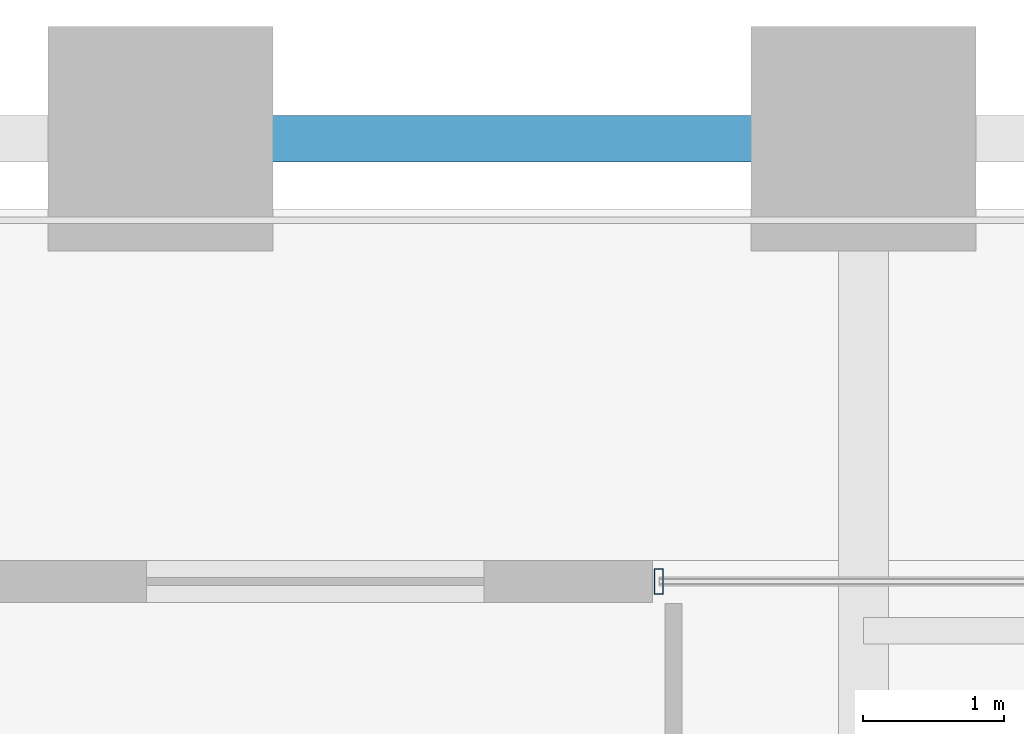
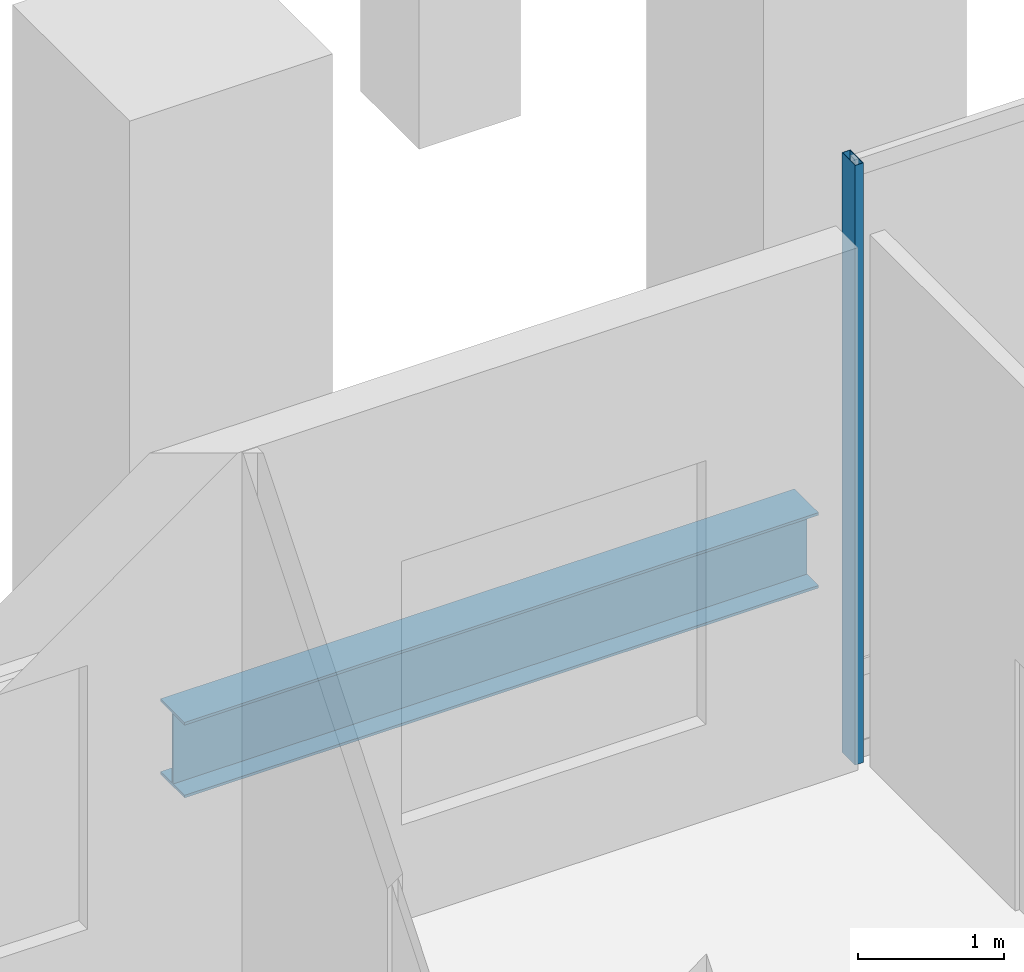
# One storey, part 8 of 25: 1 beam, 1 member, 1 element without a shape of its own.
"""IFC4 building model written with IfcOpenShell, lengths in metres."""

from ifc_helpers import new_model, si_unit, direction, frame, origin, origin_2d, place, context, subcontext, project, spatial, hollow_rectangle, i_section, extrude, material, layer, layer_set, material_profile, profile_set, type_object, element, aggregate, save


model = new_model("IFC4")

# Units and contexts
model_context = context("Model", 3, precision=1e-05, world=origin(), true_north=direction((0.0, 1.0)))
body_context = subcontext(model_context, "Body", "Model", "MODEL_VIEW")
ifc_project = project(units=[si_unit("LENGTHUNIT", "METRE"), si_unit("AREAUNIT", "SQUARE_METRE"), si_unit("VOLUMEUNIT", "CUBIC_METRE"), si_unit("PLANEANGLEUNIT", "RADIAN"), si_unit("MASSUNIT", "GRAM", prefix="KILO")], contexts=[model_context])

# Site, building, storey
site_placement = place(None, origin())
site = spatial("IfcSite", under=ifc_project, at=site_placement, CompositionType="ELEMENT")
building_placement = place(site_placement, origin())
building = spatial("IfcBuilding", under=site, at=building_placement, Name="Barlavira Tower and Art Museum", CompositionType="ELEMENT")
storey_placement = place(building_placement, frame((0.0, 0.0, 22.199951171875)))
storey = spatial("IfcBuildingStorey", under=building, at=storey_placement, Name="L04", CompositionType="ELEMENT", Elevation=22.199951171875)

# Curtain wall, member
ifc_material_1 = material(Name="Low-iron coastal laminated glass", Category="glass")
ifc_layer = layer(ifc_material_1, 0.179931640625, Name="Low-iron coastal laminated glass")
ifc_layer_set = layer_set([ifc_layer], Name="Low-iron coastal laminated glass")
curtain_wall_type = type_object("IfcCurtainWallType", Name="Pale-Metal Unitised Curtain Wall Zone 1", PredefinedType="NOTDEFINED", material=ifc_layer_set)
curtain_wall_placement = place(storey_placement, origin())
curtain_wall = element("IfcCurtainWall", 1, at=curtain_wall_placement, inside=storey, type_object=curtain_wall_type, Name="L04 Curtain Wall CW1-L04-N", PredefinedType="NOTDEFINED")
ifc_material_2 = material(Name="Pale anodised aluminium", Category="aluminium")
ifc_material_profile_1 = material_profile(ifc_material_2, hollow_rectangle(XDim=0.06494140625, YDim=0.179931640625, WallThickness=0.00390625, at=origin_2d()), Name="ALU-MULL 65x180x4")
ifc_profile_set_1 = profile_set([ifc_material_profile_1], Name="Pale anodised aluminium")
member_type = type_object("IfcMemberType", Name="Curtain Wall Pale-Metal Mullion 65x180", PredefinedType="MULLION", material=ifc_profile_set_1)
member_placement = place(storey_placement, frame((-7.955078125, 16.85009765625, 0.0), z_axis=(0.0, 0.0, 1.0), x_axis=(-1.0, 0.0, 0.0)))
member = element("IfcMember", 2, at=member_placement, type_object=member_type, Name="CW1-L04-N Mullion 4", PredefinedType="MULLION", context=body_context, shape_type="SweptSolid", body=[
    extrude(hollow_rectangle(XDim=0.06494140625, YDim=0.179931640625, WallThickness=0.00390625, at=origin_2d()), origin(), (0.0, 0.0, 1.0), 5.0),
])
aggregate(curtain_wall, [member])

# Beam
ifc_material_3 = material(Name="Steel S355", Category="steel")
ifc_material_profile_2 = material_profile(ifc_material_3, i_section(OverallWidth=0.327880859375, OverallDepth=0.62890625, WebThickness=0.013916015625, FlangeThickness=0.021484375, at=origin_2d()), Name="W610x174.0")
ifc_profile_set_2 = profile_set([ifc_material_profile_2], Name="Steel S355")
beam_type = type_object("IfcBeamType", Name="Perimeter Spandrel Edge Beam W610x174 Steel S355", PredefinedType="SPANDREL", material=ifc_profile_set_2)
beam_placement = place(storey_placement, frame((-11.5, 20.0, -0.594482421875), z_axis=(1.0, 0.0, 0.0), x_axis=(0.0, 1.0, 0.0)))
element("IfcBeam", 3, at=beam_placement, inside=storey, type_object=beam_type, Name="L04 Podium Spandrel PN2", PredefinedType="SPANDREL", context=body_context, shape_type="SweptSolid", body=[
    extrude(i_section(OverallWidth=0.327880859375, OverallDepth=0.62890625, WebThickness=0.013916015625, FlangeThickness=0.021484375, at=origin_2d()), origin(), (0.0, 0.0, 1.0), 5.0),
])

save(model, "model.ifc")
